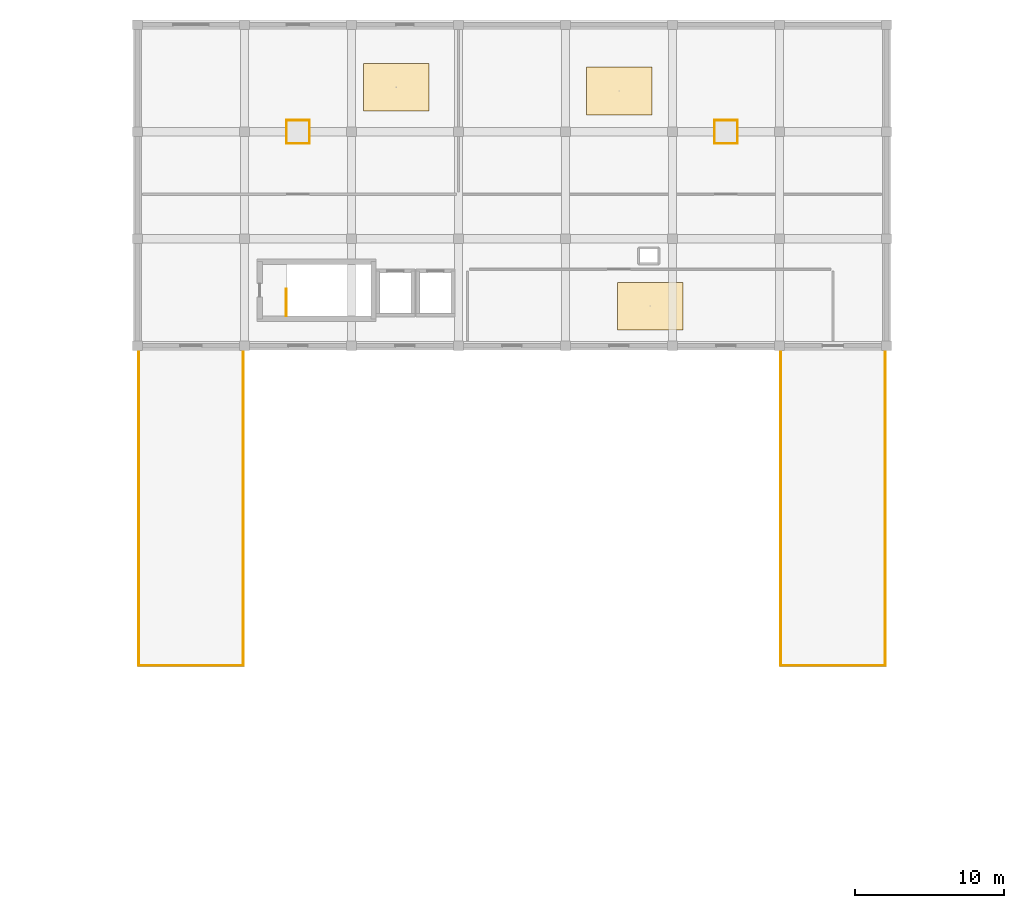
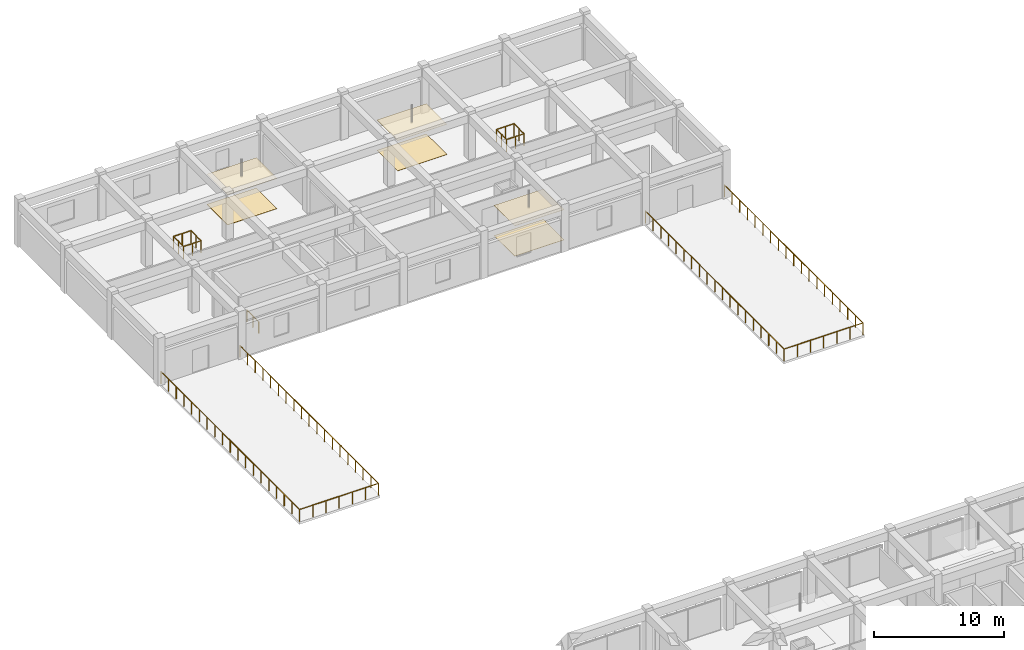
# One storey, part 56 of 56: 15 railings, 6 coverings.
"""IFC4 building model written with IfcOpenShell, lengths in metres."""

from ifc_helpers import new_model, si_unit, direction, frame, origin, origin_2d, place, context, subcontext, project, spatial, rectangle, circle, extrude, material, layer, layer_set, type_object, element, save


model = new_model("IFC4")

# Units and contexts
model_context = context("Model", 3, precision=1e-05, world=origin(), true_north=direction((0.0, 1.0)))
body_context = subcontext(model_context, "Body", "Model", "MODEL_VIEW")
ifc_project = project(units=[si_unit("LENGTHUNIT", "METRE"), si_unit("AREAUNIT", "SQUARE_METRE"), si_unit("VOLUMEUNIT", "CUBIC_METRE"), si_unit("PLANEANGLEUNIT", "RADIAN"), si_unit("MASSUNIT", "GRAM", prefix="KILO")], contexts=[model_context])

# Site, building, storey
site_placement = place(None, origin())
site = spatial("IfcSite", under=ifc_project, at=site_placement, CompositionType="ELEMENT")
building_placement = place(site_placement, origin())
building = spatial("IfcBuilding", under=site, at=building_placement, Name="Kazehaya Institute of Natural Sciences", CompositionType="ELEMENT")
storey_placement = place(building_placement, frame((0.0, 0.0, 28.800048828125)))
storey = spatial("IfcBuildingStorey", under=building, at=storey_placement, Name="L06", CompositionType="ELEMENT", Elevation=28.800048828125)

# Coverings
ifc_material_1 = material(Name="Mineral-fibre acoustic ceiling tile")
ifc_layer_1 = layer(ifc_material_1, 0.02490234375, Name="Mineral-fibre acoustic ceiling tile")
ifc_layer_set_1 = layer_set([ifc_layer_1], Name="Mineral-fibre acoustic ceiling tile")
covering_type_1 = type_object("IfcCoveringType", Name="COV-CEIL-AC", PredefinedType="CEILING", material=ifc_layer_set_1)
for number, where, z_axis, x_axis, name in (
    (1, (79.203857421875, 103.40380859375, 2.847412109375), (0.0, 0.0, 1.0), (1.0, 0.0, 0.0), "L06 Clean Analytical Suite ceiling 61"),
    (2, (94.22021484375, 103.1484375, 2.847412109375), (0.0, 0.0, 1.0), (1.0, 0.0, 0.0), "L06 Dry Computational Laboratory ceiling 62"),
    (3, (96.300048828125, 88.675048828125, 2.847412109375), (0.0, 0.0, 1.0), (1.0, 0.0, 0.0), "L06 Researcher Write-up Office ceiling 63"),
):
    element("IfcCovering", number, at=place(storey_placement, frame(where, z_axis=z_axis, x_axis=x_axis)), inside=storey, type_object=covering_type_1, Name=name, PredefinedType="CEILING", context=body_context, shape_type="SweptSolid", body=[
        extrude(rectangle(XDim=4.39990234375, YDim=3.199951171875, at=origin_2d()), origin(), (0.0, 0.0, 1.0), 0.02490234375),
    ])
ifc_material_2 = material(Name="Polished Sawara stone terrazzo flooring", Category="masonry")
ifc_layer_2 = layer(ifc_material_2, 0.02001953125, Name="Polished Sawara stone terrazzo flooring", Category="masonry")
ifc_layer_set_2 = layer_set([ifc_layer_2], Name="Polished Sawara stone terrazzo flooring")
covering_type_2 = type_object("IfcCoveringType", Name="COV-FLR-TRZ", PredefinedType="FLOORING", material=ifc_layer_set_2)
for number, where, z_axis, x_axis, name in (
    (4, (79.203857421875, 103.40380859375, 0.0), (0.0, 0.0, 1.0), (1.0, 0.0, 0.0), "L06 Clean Analytical Suite finish flooring 61"),
    (5, (94.22021484375, 103.1484375, 0.0), (0.0, 0.0, 1.0), (1.0, 0.0, 0.0), "L06 Dry Computational Laboratory finish flooring 62"),
    (6, (96.300048828125, 88.675048828125, 0.0), (0.0, 0.0, 1.0), (1.0, 0.0, 0.0), "L06 Researcher Write-up Office finish flooring 63"),
):
    element("IfcCovering", number, at=place(storey_placement, frame(where, z_axis=z_axis, x_axis=x_axis)), inside=storey, type_object=covering_type_2, Name=name, PredefinedType="FLOORING", context=body_context, shape_type="SweptSolid", body=[
        extrude(rectangle(XDim=4.39990234375, YDim=3.199951171875, at=origin_2d()), origin(), (0.0, 0.0, 1.0), 0.02001953125),
    ])

# Railings
ifc_material_3 = material(Name="Precast limestone and bronze balustrade", Category="masonry")
railing_type_1 = type_object("IfcRailingType", Name="RL-GUARD-TER", PredefinedType="BALUSTRADE", material=ifc_material_3)
railing_1_placement = place(storey_placement, frame((61.8798828125, 64.47998046875, 0.0)))
element("IfcRailing", 7, at=railing_1_placement, inside=storey, type_object=railing_type_1, Name="L06 terrace balustrade GRD-L06-019", PredefinedType="BALUSTRADE", context=body_context, shape_type="SweptSolid", body=[
    extrude(circle(Radius=0.02392578125, at=origin_2d()), frame((0.0, 0.0, 1.1259765625), z_axis=(1.0, 0.0, 0.0), x_axis=(0.0, 1.0, 0.0)), (0.0, 0.0, 1.0), 7.0400390625),
    extrude(circle(Radius=0.02099609375, at=origin_2d()), origin(), (0.0, 0.0, 1.0), 1.101806640625),
    extrude(circle(Radius=0.02099609375, at=origin_2d()), frame((1.17333984375, 0.0, 0.0)), (0.0, 0.0, 1.0), 1.101806640625),
    extrude(circle(Radius=0.02099609375, at=origin_2d()), frame((2.3466796875, 0.0, 0.0)), (0.0, 0.0, 1.0), 1.101806640625),
    extrude(circle(Radius=0.02099609375, at=origin_2d()), frame((3.52001953125, 0.0, 0.0)), (0.0, 0.0, 1.0), 1.101806640625),
    extrude(circle(Radius=0.02099609375, at=origin_2d()), frame((4.693359375, 0.0, 0.0)), (0.0, 0.0, 1.0), 1.101806640625),
    extrude(circle(Radius=0.02099609375, at=origin_2d()), frame((5.86669921875, 0.0, 0.0)), (0.0, 0.0, 1.0), 1.101806640625),
    extrude(circle(Radius=0.02099609375, at=origin_2d()), frame((7.0400390625, 0.0, 0.0)), (0.0, 0.0, 1.0), 1.101806640625),
])
railing_2_placement = place(storey_placement, frame((61.8798828125, 85.919921875, 0.0)))
element("IfcRailing", 8, at=railing_2_placement, inside=storey, type_object=railing_type_1, Name="L06 terrace balustrade GRD-L06-020", PredefinedType="BALUSTRADE", context=body_context, shape_type="SweptSolid", body=[
    extrude(circle(Radius=0.02392578125, at=origin_2d()), frame((0.0, 0.0, 1.1259765625), z_axis=(0.0, -1.0, 0.0), x_axis=(1.0, 0.0, 0.0)), (0.0, 0.0, 1.0), 21.43994140625),
    extrude(circle(Radius=0.02099609375, at=origin_2d()), origin(), (0.0, 0.0, 1.0), 1.101806640625),
    extrude(circle(Radius=0.02099609375, at=origin_2d()), frame((0.0, -1.191162109375, 0.0)), (0.0, 0.0, 1.0), 1.101806640625),
    extrude(circle(Radius=0.02099609375, at=origin_2d()), frame((0.0, -2.38232421875, 0.0)), (0.0, 0.0, 1.0), 1.101806640625),
    extrude(circle(Radius=0.02099609375, at=origin_2d()), frame((0.0, -3.5732421875, 0.0)), (0.0, 0.0, 1.0), 1.101806640625),
    extrude(circle(Radius=0.02099609375, at=origin_2d()), frame((0.0, -4.764404296875, 0.0)), (0.0, 0.0, 1.0), 1.101806640625),
    extrude(circle(Radius=0.02099609375, at=origin_2d()), frame((0.0, -5.95556640625, 0.0)), (0.0, 0.0, 1.0), 1.101806640625),
    extrude(circle(Radius=0.02099609375, at=origin_2d()), frame((0.0, -7.146728515625, 0.0)), (0.0, 0.0, 1.0), 1.101806640625),
    extrude(circle(Radius=0.02099609375, at=origin_2d()), frame((0.0, -8.337646484375, 0.0)), (0.0, 0.0, 1.0), 1.101806640625),
    extrude(circle(Radius=0.02099609375, at=origin_2d()), frame((0.0, -9.52880859375, 0.0)), (0.0, 0.0, 1.0), 1.101806640625),
    extrude(circle(Radius=0.02099609375, at=origin_2d()), frame((0.0, -10.719970703125, 0.0)), (0.0, 0.0, 1.0), 1.101806640625),
    extrude(circle(Radius=0.02099609375, at=origin_2d()), frame((0.0, -11.9111328125, 0.0)), (0.0, 0.0, 1.0), 1.101806640625),
    extrude(circle(Radius=0.02099609375, at=origin_2d()), frame((0.0, -13.102294921875, 0.0)), (0.0, 0.0, 1.0), 1.101806640625),
    extrude(circle(Radius=0.02099609375, at=origin_2d()), frame((0.0, -14.293212890625, 0.0)), (0.0, 0.0, 1.0), 1.101806640625),
    extrude(circle(Radius=0.02099609375, at=origin_2d()), frame((0.0, -15.484375, 0.0)), (0.0, 0.0, 1.0), 1.101806640625),
    extrude(circle(Radius=0.02099609375, at=origin_2d()), frame((0.0, -16.675537109375, 0.0)), (0.0, 0.0, 1.0), 1.101806640625),
    extrude(circle(Radius=0.02099609375, at=origin_2d()), frame((0.0, -17.86669921875, 0.0)), (0.0, 0.0, 1.0), 1.101806640625),
    extrude(circle(Radius=0.02099609375, at=origin_2d()), frame((0.0, -19.0576171875, 0.0)), (0.0, 0.0, 1.0), 1.101806640625),
    extrude(circle(Radius=0.02099609375, at=origin_2d()), frame((0.0, -20.248779296875, 0.0)), (0.0, 0.0, 1.0), 1.101806640625),
    extrude(circle(Radius=0.02099609375, at=origin_2d()), frame((0.0, -21.43994140625, 0.0)), (0.0, 0.0, 1.0), 1.101806640625),
])
railing_3_placement = place(storey_placement, frame((68.919921875, 64.47998046875, 0.0)))
element("IfcRailing", 9, at=railing_3_placement, inside=storey, type_object=railing_type_1, Name="L06 terrace balustrade GRD-L06-021", PredefinedType="BALUSTRADE", context=body_context, shape_type="SweptSolid", body=[
    extrude(circle(Radius=0.02392578125, at=origin_2d()), frame((0.0, 0.0, 1.1259765625), z_axis=(0.0, 1.0, 0.0), x_axis=(-1.0, 0.0, 0.0)), (0.0, 0.0, 1.0), 21.43994140625),
    extrude(circle(Radius=0.02099609375, at=origin_2d()), origin(), (0.0, 0.0, 1.0), 1.101806640625),
    extrude(circle(Radius=0.02099609375, at=origin_2d()), frame((0.0, 1.191162109375, 0.0)), (0.0, 0.0, 1.0), 1.101806640625),
    extrude(circle(Radius=0.02099609375, at=origin_2d()), frame((0.0, 2.38232421875, 0.0)), (0.0, 0.0, 1.0), 1.101806640625),
    extrude(circle(Radius=0.02099609375, at=origin_2d()), frame((0.0, 3.5732421875, 0.0)), (0.0, 0.0, 1.0), 1.101806640625),
    extrude(circle(Radius=0.02099609375, at=origin_2d()), frame((0.0, 4.764404296875, 0.0)), (0.0, 0.0, 1.0), 1.101806640625),
    extrude(circle(Radius=0.02099609375, at=origin_2d()), frame((0.0, 5.95556640625, 0.0)), (0.0, 0.0, 1.0), 1.101806640625),
    extrude(circle(Radius=0.02099609375, at=origin_2d()), frame((0.0, 7.146728515625, 0.0)), (0.0, 0.0, 1.0), 1.101806640625),
    extrude(circle(Radius=0.02099609375, at=origin_2d()), frame((0.0, 8.337646484375, 0.0)), (0.0, 0.0, 1.0), 1.101806640625),
    extrude(circle(Radius=0.02099609375, at=origin_2d()), frame((0.0, 9.52880859375, 0.0)), (0.0, 0.0, 1.0), 1.101806640625),
    extrude(circle(Radius=0.02099609375, at=origin_2d()), frame((0.0, 10.719970703125, 0.0)), (0.0, 0.0, 1.0), 1.101806640625),
    extrude(circle(Radius=0.02099609375, at=origin_2d()), frame((0.0, 11.9111328125, 0.0)), (0.0, 0.0, 1.0), 1.101806640625),
    extrude(circle(Radius=0.02099609375, at=origin_2d()), frame((0.0, 13.102294921875, 0.0)), (0.0, 0.0, 1.0), 1.101806640625),
    extrude(circle(Radius=0.02099609375, at=origin_2d()), frame((0.0, 14.293212890625, 0.0)), (0.0, 0.0, 1.0), 1.101806640625),
    extrude(circle(Radius=0.02099609375, at=origin_2d()), frame((0.0, 15.484375, 0.0)), (0.0, 0.0, 1.0), 1.101806640625),
    extrude(circle(Radius=0.02099609375, at=origin_2d()), frame((0.0, 16.675537109375, 0.0)), (0.0, 0.0, 1.0), 1.101806640625),
    extrude(circle(Radius=0.02099609375, at=origin_2d()), frame((0.0, 17.86669921875, 0.0)), (0.0, 0.0, 1.0), 1.101806640625),
    extrude(circle(Radius=0.02099609375, at=origin_2d()), frame((0.0, 19.0576171875, 0.0)), (0.0, 0.0, 1.0), 1.101806640625),
    extrude(circle(Radius=0.02099609375, at=origin_2d()), frame((0.0, 20.248779296875, 0.0)), (0.0, 0.0, 1.0), 1.101806640625),
    extrude(circle(Radius=0.02099609375, at=origin_2d()), frame((0.0, 21.43994140625, 0.0)), (0.0, 0.0, 1.0), 1.101806640625),
])
railing_4_placement = place(storey_placement, frame((105.080078125, 64.47998046875, 0.0)))
element("IfcRailing", 10, at=railing_4_placement, inside=storey, type_object=railing_type_1, Name="L06 terrace balustrade GRD-L06-022", PredefinedType="BALUSTRADE", context=body_context, shape_type="SweptSolid", body=[
    extrude(circle(Radius=0.02392578125, at=origin_2d()), frame((0.0, 0.0, 1.1259765625), z_axis=(1.0, 0.0, 0.0), x_axis=(0.0, 1.0, 0.0)), (0.0, 0.0, 1.0), 7.0400390625),
    extrude(circle(Radius=0.02099609375, at=origin_2d()), origin(), (0.0, 0.0, 1.0), 1.101806640625),
    extrude(circle(Radius=0.02099609375, at=origin_2d()), frame((1.17333984375, 0.0, 0.0)), (0.0, 0.0, 1.0), 1.101806640625),
    extrude(circle(Radius=0.02099609375, at=origin_2d()), frame((2.3466796875, 0.0, 0.0)), (0.0, 0.0, 1.0), 1.101806640625),
    extrude(circle(Radius=0.02099609375, at=origin_2d()), frame((3.52001953125, 0.0, 0.0)), (0.0, 0.0, 1.0), 1.101806640625),
    extrude(circle(Radius=0.02099609375, at=origin_2d()), frame((4.693359375, 0.0, 0.0)), (0.0, 0.0, 1.0), 1.101806640625),
    extrude(circle(Radius=0.02099609375, at=origin_2d()), frame((5.86669921875, 0.0, 0.0)), (0.0, 0.0, 1.0), 1.101806640625),
    extrude(circle(Radius=0.02099609375, at=origin_2d()), frame((7.0400390625, 0.0, 0.0)), (0.0, 0.0, 1.0), 1.101806640625),
])
railing_5_placement = place(storey_placement, frame((105.080078125, 85.919921875, 0.0)))
element("IfcRailing", 11, at=railing_5_placement, inside=storey, type_object=railing_type_1, Name="L06 terrace balustrade GRD-L06-023", PredefinedType="BALUSTRADE", context=body_context, shape_type="SweptSolid", body=[
    extrude(circle(Radius=0.02392578125, at=origin_2d()), frame((0.0, 0.0, 1.1259765625), z_axis=(0.0, -1.0, 0.0), x_axis=(1.0, 0.0, 0.0)), (0.0, 0.0, 1.0), 21.43994140625),
    extrude(circle(Radius=0.02099609375, at=origin_2d()), origin(), (0.0, 0.0, 1.0), 1.101806640625),
    extrude(circle(Radius=0.02099609375, at=origin_2d()), frame((0.0, -1.191162109375, 0.0)), (0.0, 0.0, 1.0), 1.101806640625),
    extrude(circle(Radius=0.02099609375, at=origin_2d()), frame((0.0, -2.38232421875, 0.0)), (0.0, 0.0, 1.0), 1.101806640625),
    extrude(circle(Radius=0.02099609375, at=origin_2d()), frame((0.0, -3.5732421875, 0.0)), (0.0, 0.0, 1.0), 1.101806640625),
    extrude(circle(Radius=0.02099609375, at=origin_2d()), frame((0.0, -4.764404296875, 0.0)), (0.0, 0.0, 1.0), 1.101806640625),
    extrude(circle(Radius=0.02099609375, at=origin_2d()), frame((0.0, -5.95556640625, 0.0)), (0.0, 0.0, 1.0), 1.101806640625),
    extrude(circle(Radius=0.02099609375, at=origin_2d()), frame((0.0, -7.146728515625, 0.0)), (0.0, 0.0, 1.0), 1.101806640625),
    extrude(circle(Radius=0.02099609375, at=origin_2d()), frame((0.0, -8.337646484375, 0.0)), (0.0, 0.0, 1.0), 1.101806640625),
    extrude(circle(Radius=0.02099609375, at=origin_2d()), frame((0.0, -9.52880859375, 0.0)), (0.0, 0.0, 1.0), 1.101806640625),
    extrude(circle(Radius=0.02099609375, at=origin_2d()), frame((0.0, -10.719970703125, 0.0)), (0.0, 0.0, 1.0), 1.101806640625),
    extrude(circle(Radius=0.02099609375, at=origin_2d()), frame((0.0, -11.9111328125, 0.0)), (0.0, 0.0, 1.0), 1.101806640625),
    extrude(circle(Radius=0.02099609375, at=origin_2d()), frame((0.0, -13.102294921875, 0.0)), (0.0, 0.0, 1.0), 1.101806640625),
    extrude(circle(Radius=0.02099609375, at=origin_2d()), frame((0.0, -14.293212890625, 0.0)), (0.0, 0.0, 1.0), 1.101806640625),
    extrude(circle(Radius=0.02099609375, at=origin_2d()), frame((0.0, -15.484375, 0.0)), (0.0, 0.0, 1.0), 1.101806640625),
    extrude(circle(Radius=0.02099609375, at=origin_2d()), frame((0.0, -16.675537109375, 0.0)), (0.0, 0.0, 1.0), 1.101806640625),
    extrude(circle(Radius=0.02099609375, at=origin_2d()), frame((0.0, -17.86669921875, 0.0)), (0.0, 0.0, 1.0), 1.101806640625),
    extrude(circle(Radius=0.02099609375, at=origin_2d()), frame((0.0, -19.0576171875, 0.0)), (0.0, 0.0, 1.0), 1.101806640625),
    extrude(circle(Radius=0.02099609375, at=origin_2d()), frame((0.0, -20.248779296875, 0.0)), (0.0, 0.0, 1.0), 1.101806640625),
    extrude(circle(Radius=0.02099609375, at=origin_2d()), frame((0.0, -21.43994140625, 0.0)), (0.0, 0.0, 1.0), 1.101806640625),
])
railing_6_placement = place(storey_placement, frame((112.1201171875, 64.47998046875, 0.0)))
element("IfcRailing", 12, at=railing_6_placement, inside=storey, type_object=railing_type_1, Name="L06 terrace balustrade GRD-L06-024", PredefinedType="BALUSTRADE", context=body_context, shape_type="SweptSolid", body=[
    extrude(circle(Radius=0.02392578125, at=origin_2d()), frame((0.0, 0.0, 1.1259765625), z_axis=(0.0, 1.0, 0.0), x_axis=(-1.0, 0.0, 0.0)), (0.0, 0.0, 1.0), 21.43994140625),
    extrude(circle(Radius=0.02099609375, at=origin_2d()), origin(), (0.0, 0.0, 1.0), 1.101806640625),
    extrude(circle(Radius=0.02099609375, at=origin_2d()), frame((0.0, 1.191162109375, 0.0)), (0.0, 0.0, 1.0), 1.101806640625),
    extrude(circle(Radius=0.02099609375, at=origin_2d()), frame((0.0, 2.38232421875, 0.0)), (0.0, 0.0, 1.0), 1.101806640625),
    extrude(circle(Radius=0.02099609375, at=origin_2d()), frame((0.0, 3.5732421875, 0.0)), (0.0, 0.0, 1.0), 1.101806640625),
    extrude(circle(Radius=0.02099609375, at=origin_2d()), frame((0.0, 4.764404296875, 0.0)), (0.0, 0.0, 1.0), 1.101806640625),
    extrude(circle(Radius=0.02099609375, at=origin_2d()), frame((0.0, 5.95556640625, 0.0)), (0.0, 0.0, 1.0), 1.101806640625),
    extrude(circle(Radius=0.02099609375, at=origin_2d()), frame((0.0, 7.146728515625, 0.0)), (0.0, 0.0, 1.0), 1.101806640625),
    extrude(circle(Radius=0.02099609375, at=origin_2d()), frame((0.0, 8.337646484375, 0.0)), (0.0, 0.0, 1.0), 1.101806640625),
    extrude(circle(Radius=0.02099609375, at=origin_2d()), frame((0.0, 9.52880859375, 0.0)), (0.0, 0.0, 1.0), 1.101806640625),
    extrude(circle(Radius=0.02099609375, at=origin_2d()), frame((0.0, 10.719970703125, 0.0)), (0.0, 0.0, 1.0), 1.101806640625),
    extrude(circle(Radius=0.02099609375, at=origin_2d()), frame((0.0, 11.9111328125, 0.0)), (0.0, 0.0, 1.0), 1.101806640625),
    extrude(circle(Radius=0.02099609375, at=origin_2d()), frame((0.0, 13.102294921875, 0.0)), (0.0, 0.0, 1.0), 1.101806640625),
    extrude(circle(Radius=0.02099609375, at=origin_2d()), frame((0.0, 14.293212890625, 0.0)), (0.0, 0.0, 1.0), 1.101806640625),
    extrude(circle(Radius=0.02099609375, at=origin_2d()), frame((0.0, 15.484375, 0.0)), (0.0, 0.0, 1.0), 1.101806640625),
    extrude(circle(Radius=0.02099609375, at=origin_2d()), frame((0.0, 16.675537109375, 0.0)), (0.0, 0.0, 1.0), 1.101806640625),
    extrude(circle(Radius=0.02099609375, at=origin_2d()), frame((0.0, 17.86669921875, 0.0)), (0.0, 0.0, 1.0), 1.101806640625),
    extrude(circle(Radius=0.02099609375, at=origin_2d()), frame((0.0, 19.0576171875, 0.0)), (0.0, 0.0, 1.0), 1.101806640625),
    extrude(circle(Radius=0.02099609375, at=origin_2d()), frame((0.0, 20.248779296875, 0.0)), (0.0, 0.0, 1.0), 1.101806640625),
    extrude(circle(Radius=0.02099609375, at=origin_2d()), frame((0.0, 21.43994140625, 0.0)), (0.0, 0.0, 1.0), 1.101806640625),
])
ifc_material_4 = material(Name="Structural steel SN490B", Category="steel")
railing_type_2 = type_object("IfcRailingType", Name="RL-GUARD-VOID", PredefinedType="GUARDRAIL", material=ifc_material_4)
railing_7_placement = place(storey_placement, frame((71.820068359375, 99.6201171875, 0.0)))
element("IfcRailing", 13, at=railing_7_placement, inside=storey, type_object=railing_type_2, Name="L06 skylight 07 perimeter guard 1", PredefinedType="GUARDRAIL", context=body_context, shape_type="SweptSolid", body=[
    extrude(circle(Radius=0.02392578125, at=origin_2d()), frame((0.0, 0.0, 1.1259765625), z_axis=(1.0, 0.0, 0.0), x_axis=(0.0, 1.0, 0.0)), (0.0, 0.0, 1.0), 1.559814453125),
    extrude(circle(Radius=0.02099609375, at=origin_2d()), origin(), (0.0, 0.0, 1.0), 1.101806640625),
    extrude(circle(Radius=0.02099609375, at=origin_2d()), frame((0.77978515625, 0.0, 0.0)), (0.0, 0.0, 1.0), 1.101806640625),
    extrude(circle(Radius=0.02099609375, at=origin_2d()), frame((1.559814453125, 0.0, 0.0)), (0.0, 0.0, 1.0), 1.101806640625),
])
railing_8_placement = place(storey_placement, frame((73.3798828125, 99.6201171875, 0.0)))
element("IfcRailing", 14, at=railing_8_placement, inside=storey, type_object=railing_type_2, Name="L06 skylight 07 perimeter guard 2", PredefinedType="GUARDRAIL", context=body_context, shape_type="SweptSolid", body=[
    extrude(circle(Radius=0.02392578125, at=origin_2d()), frame((0.0, 0.0, 1.1259765625), z_axis=(0.0, 1.0, 0.0), x_axis=(-1.0, 0.0, 0.0)), (0.0, 0.0, 1.0), 1.559814453125),
    extrude(circle(Radius=0.02099609375, at=origin_2d()), origin(), (0.0, 0.0, 1.0), 1.101806640625),
    extrude(circle(Radius=0.02099609375, at=origin_2d()), frame((0.0, 0.77978515625, 0.0)), (0.0, 0.0, 1.0), 1.101806640625),
    extrude(circle(Radius=0.02099609375, at=origin_2d()), frame((0.0, 1.559814453125, 0.0)), (0.0, 0.0, 1.0), 1.101806640625),
])
railing_9_placement = place(storey_placement, frame((73.3798828125, 101.179931640625, 0.0)))
element("IfcRailing", 15, at=railing_9_placement, inside=storey, type_object=railing_type_2, Name="L06 skylight 07 perimeter guard 3", PredefinedType="GUARDRAIL", context=body_context, shape_type="SweptSolid", body=[
    extrude(circle(Radius=0.02392578125, at=origin_2d()), frame((0.0, 0.0, 1.1259765625), z_axis=(-1.0, 0.0, 0.0), x_axis=(0.0, -1.0, 0.0)), (0.0, 0.0, 1.0), 1.559814453125),
    extrude(circle(Radius=0.02099609375, at=origin_2d()), origin(), (0.0, 0.0, 1.0), 1.101806640625),
    extrude(circle(Radius=0.02099609375, at=origin_2d()), frame((-0.77978515625, 0.0, 0.0)), (0.0, 0.0, 1.0), 1.101806640625),
    extrude(circle(Radius=0.02099609375, at=origin_2d()), frame((-1.559814453125, 0.0, 0.0)), (0.0, 0.0, 1.0), 1.101806640625),
])
railing_10_placement = place(storey_placement, frame((71.820068359375, 101.179931640625, 0.0)))
element("IfcRailing", 16, at=railing_10_placement, inside=storey, type_object=railing_type_2, Name="L06 skylight 07 perimeter guard 4", PredefinedType="GUARDRAIL", context=body_context, shape_type="SweptSolid", body=[
    extrude(circle(Radius=0.02392578125, at=origin_2d()), frame((0.0, 0.0, 1.1259765625), z_axis=(0.0, -1.0, 0.0), x_axis=(1.0, 0.0, 0.0)), (0.0, 0.0, 1.0), 1.559814453125),
    extrude(circle(Radius=0.02099609375, at=origin_2d()), origin(), (0.0, 0.0, 1.0), 1.101806640625),
    extrude(circle(Radius=0.02099609375, at=origin_2d()), frame((0.0, -0.77978515625, 0.0)), (0.0, 0.0, 1.0), 1.101806640625),
    extrude(circle(Radius=0.02099609375, at=origin_2d()), frame((0.0, -1.559814453125, 0.0)), (0.0, 0.0, 1.0), 1.101806640625),
])
railing_11_placement = place(storey_placement, frame((100.6201171875, 99.6201171875, 0.0)))
element("IfcRailing", 17, at=railing_11_placement, inside=storey, type_object=railing_type_2, Name="L06 skylight 08 perimeter guard 1", PredefinedType="GUARDRAIL", context=body_context, shape_type="SweptSolid", body=[
    extrude(circle(Radius=0.02392578125, at=origin_2d()), frame((0.0, 0.0, 1.1259765625), z_axis=(1.0, 0.0, 0.0), x_axis=(0.0, 1.0, 0.0)), (0.0, 0.0, 1.0), 1.559814453125),
    extrude(circle(Radius=0.02099609375, at=origin_2d()), origin(), (0.0, 0.0, 1.0), 1.101806640625),
    extrude(circle(Radius=0.02099609375, at=origin_2d()), frame((0.77978515625, 0.0, 0.0)), (0.0, 0.0, 1.0), 1.101806640625),
    extrude(circle(Radius=0.02099609375, at=origin_2d()), frame((1.559814453125, 0.0, 0.0)), (0.0, 0.0, 1.0), 1.101806640625),
])
railing_12_placement = place(storey_placement, frame((102.179931640625, 99.6201171875, 0.0)))
element("IfcRailing", 18, at=railing_12_placement, inside=storey, type_object=railing_type_2, Name="L06 skylight 08 perimeter guard 2", PredefinedType="GUARDRAIL", context=body_context, shape_type="SweptSolid", body=[
    extrude(circle(Radius=0.02392578125, at=origin_2d()), frame((0.0, 0.0, 1.1259765625), z_axis=(0.0, 1.0, 0.0), x_axis=(-1.0, 0.0, 0.0)), (0.0, 0.0, 1.0), 1.559814453125),
    extrude(circle(Radius=0.02099609375, at=origin_2d()), origin(), (0.0, 0.0, 1.0), 1.101806640625),
    extrude(circle(Radius=0.02099609375, at=origin_2d()), frame((0.0, 0.77978515625, 0.0)), (0.0, 0.0, 1.0), 1.101806640625),
    extrude(circle(Radius=0.02099609375, at=origin_2d()), frame((0.0, 1.559814453125, 0.0)), (0.0, 0.0, 1.0), 1.101806640625),
])
railing_13_placement = place(storey_placement, frame((102.179931640625, 101.179931640625, 0.0)))
element("IfcRailing", 19, at=railing_13_placement, inside=storey, type_object=railing_type_2, Name="L06 skylight 08 perimeter guard 3", PredefinedType="GUARDRAIL", context=body_context, shape_type="SweptSolid", body=[
    extrude(circle(Radius=0.02392578125, at=origin_2d()), frame((0.0, 0.0, 1.1259765625), z_axis=(-1.0, 0.0, 0.0), x_axis=(0.0, -1.0, 0.0)), (0.0, 0.0, 1.0), 1.559814453125),
    extrude(circle(Radius=0.02099609375, at=origin_2d()), origin(), (0.0, 0.0, 1.0), 1.101806640625),
    extrude(circle(Radius=0.02099609375, at=origin_2d()), frame((-0.77978515625, 0.0, 0.0)), (0.0, 0.0, 1.0), 1.101806640625),
    extrude(circle(Radius=0.02099609375, at=origin_2d()), frame((-1.559814453125, 0.0, 0.0)), (0.0, 0.0, 1.0), 1.101806640625),
])
railing_14_placement = place(storey_placement, frame((100.6201171875, 101.179931640625, 0.0)))
element("IfcRailing", 20, at=railing_14_placement, inside=storey, type_object=railing_type_2, Name="L06 skylight 08 perimeter guard 4", PredefinedType="GUARDRAIL", context=body_context, shape_type="SweptSolid", body=[
    extrude(circle(Radius=0.02392578125, at=origin_2d()), frame((0.0, 0.0, 1.1259765625), z_axis=(0.0, -1.0, 0.0), x_axis=(1.0, 0.0, 0.0)), (0.0, 0.0, 1.0), 1.559814453125),
    extrude(circle(Radius=0.02099609375, at=origin_2d()), origin(), (0.0, 0.0, 1.0), 1.101806640625),
    extrude(circle(Radius=0.02099609375, at=origin_2d()), frame((0.0, -0.77978515625, 0.0)), (0.0, 0.0, 1.0), 1.101806640625),
    extrude(circle(Radius=0.02099609375, at=origin_2d()), frame((0.0, -1.559814453125, 0.0)), (0.0, 0.0, 1.0), 1.101806640625),
])
railing_type_3 = type_object("IfcRailingType", Name="RL-STAIR-GRD", PredefinedType="GUARDRAIL", material=ifc_material_4)
railing_15_placement = place(storey_placement, frame((71.81005859375, 88.0, 0.0)))
element("IfcRailing", 21, at=railing_15_placement, inside=storey, type_object=railing_type_3, Name="L06 ST-3 top well guard 1", PredefinedType="GUARDRAIL", context=body_context, shape_type="SweptSolid", body=[
    extrude(circle(Radius=0.02392578125, at=origin_2d()), frame((0.0, 0.0, 1.076171875), z_axis=(0.0, 1.0, 0.0), x_axis=(-1.0, 0.0, 0.0)), (0.0, 0.0, 1.0), 1.820068359375),
    extrude(circle(Radius=0.02099609375, at=origin_2d()), origin(), (0.0, 0.0, 1.0), 1.052001953125),
    extrude(circle(Radius=0.02099609375, at=origin_2d()), frame((0.0, 0.91015625, 0.0)), (0.0, 0.0, 1.0), 1.052001953125),
    extrude(circle(Radius=0.02099609375, at=origin_2d()), frame((0.0, 1.820068359375, 0.0)), (0.0, 0.0, 1.0), 1.052001953125),
])

save(model, "model.ifc")
